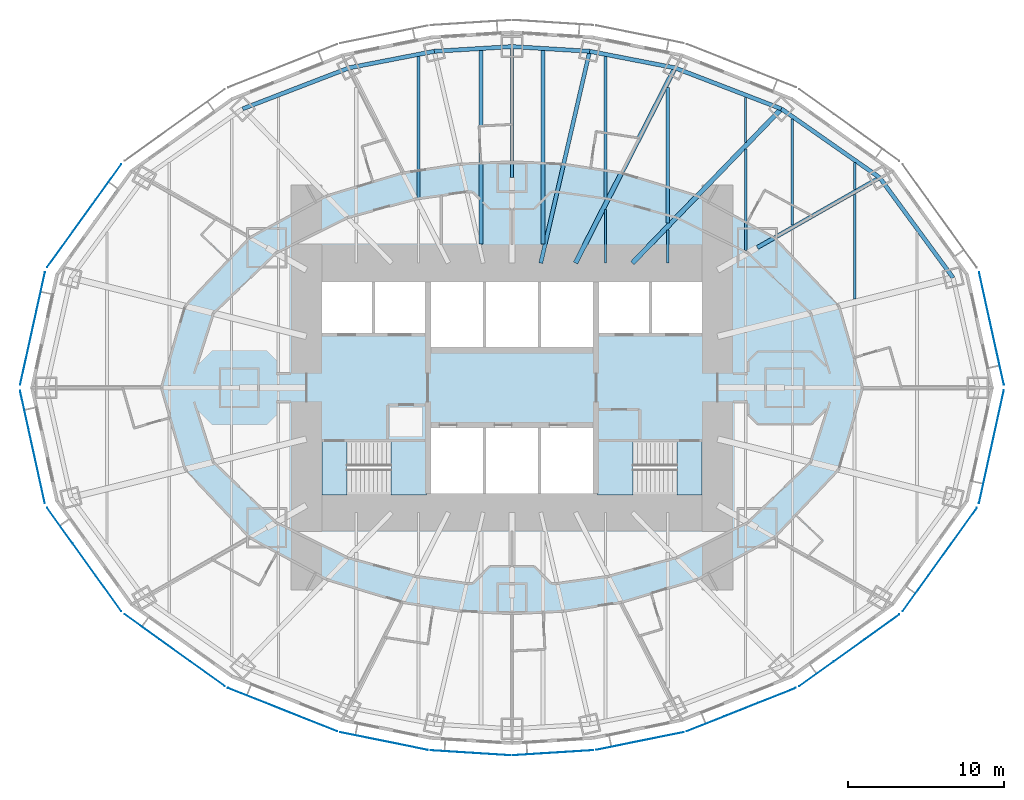
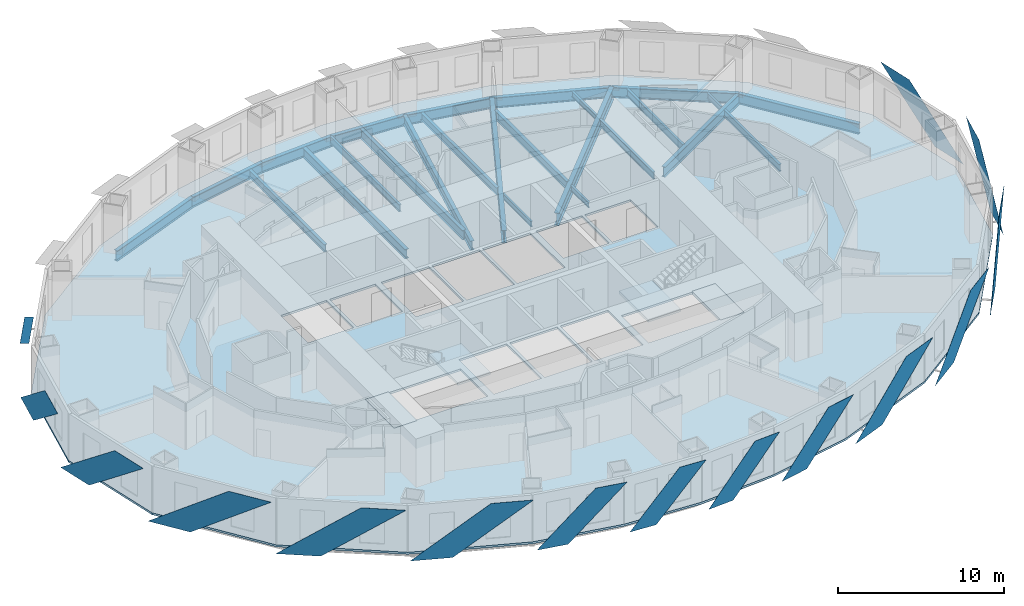
# One storey, part 3 of 15: 25 beams, 15 plates, 5 slabs, 2 elements without a shape of their own.
"""IFC4 building model written with IfcOpenShell, lengths in metres."""

from ifc_helpers import new_model, si_unit, direction, frame, origin, origin_2d, place, context, subcontext, project, spatial, polyline, i_section, outline, extrude, material, layer, layer_set, material_profile, profile_set, type_object, element, aggregate, save


model = new_model("IFC4")

# Units and contexts
model_context = context("Model", 3, precision=1e-05, world=origin(), true_north=direction((0.0, 1.0)))
body_context = subcontext(model_context, "Body", "Model", "MODEL_VIEW")
ifc_project = project(units=[si_unit("LENGTHUNIT", "METRE"), si_unit("AREAUNIT", "SQUARE_METRE"), si_unit("VOLUMEUNIT", "CUBIC_METRE"), si_unit("PLANEANGLEUNIT", "RADIAN"), si_unit("MASSUNIT", "GRAM", prefix="KILO")], contexts=[model_context])

# Site, building, storey
site_placement = place(None, origin())
site = spatial("IfcSite", under=ifc_project, at=site_placement, CompositionType="ELEMENT")
building_placement = place(site_placement, origin())
building = spatial("IfcBuilding", under=site, at=building_placement, Name="Lantaw Convention Tower", CompositionType="ELEMENT")
storey_placement = place(building_placement, frame((0.0, 0.0, 83.800048828125)))
storey = spatial("IfcBuildingStorey", under=building, at=storey_placement, Name="L19", CompositionType="ELEMENT", Elevation=83.800048828125)

# Beams
ifc_material_1 = material(Name="Steel ASTM A992", Category="steel")
ifc_material_profile_1 = material_profile(ifc_material_1, i_section(OverallWidth=0.2666015625, OverallDepth=0.76953125, WebThickness=0.015625, FlangeThickness=0.025390625, FilletRadius=0.0126953125, at=origin_2d()), Name="W30X132")
ifc_profile_set_1 = profile_set([ifc_material_profile_1], Name="Steel ASTM A992")
beam_type_1 = type_object("IfcBeamType", Name="Beam E W30X132", PredefinedType="SPANDREL", material=ifc_profile_set_1)
beam_1_placement = place(storey_placement, frame((28.31787109375, 7.060302734375, -0.534912109375), z_axis=(-0.591270709086, 0.806473154281, 0.0), x_axis=(-0.806473154281, -0.591270709086, 0.0)))
element("IfcBeam", 1, at=beam_1_placement, inside=storey, type_object=beam_type_1, Name="Edge beam 2", PredefinedType="SPANDREL", context=body_context, shape_type="SweptSolid", body=[
    extrude(i_section(OverallWidth=0.2666015625, OverallDepth=0.76953125, WebThickness=0.015625, FlangeThickness=0.025390625, FilletRadius=0.0126953125, at=origin_2d()), origin(), (0.0, 0.0, 1.0), 7.970703125),
])
beam_2_placement = place(storey_placement, frame((23.60498046875, 13.488525390625, -0.534912109375), z_axis=(-0.81942686407, 0.57318375277, 0.0), x_axis=(-0.57318375277, -0.81942686407, 0.0)))
element("IfcBeam", 2, at=beam_2_placement, inside=storey, type_object=beam_type_1, Name="Edge beam 3", PredefinedType="SPANDREL", context=body_context, shape_type="SweptSolid", body=[
    extrude(i_section(OverallWidth=0.2666015625, OverallDepth=0.76953125, WebThickness=0.015625, FlangeThickness=0.025390625, FilletRadius=0.0126953125, at=origin_2d()), origin(), (0.0, 0.0, 1.0), 7.70556640625),
])
beam_3_placement = place(storey_placement, frame((17.290771484375, 17.9052734375, -0.534912109375), z_axis=(-0.933232900641, 0.359271976588, 0.0), x_axis=(-0.359271976588, -0.933232900641, 0.0)))
element("IfcBeam", 3, at=beam_3_placement, inside=storey, type_object=beam_type_1, Name="Edge beam 4", PredefinedType="SPANDREL", context=body_context, shape_type="SweptSolid", body=[
    extrude(i_section(OverallWidth=0.2666015625, OverallDepth=0.76953125, WebThickness=0.015625, FlangeThickness=0.025390625, FilletRadius=0.0126953125, at=origin_2d()), origin(), (0.0, 0.0, 1.0), 7.316650390625),
])
beam_4_placement = place(storey_placement, frame((10.462646484375, 20.533935546875, -0.534912109375), z_axis=(-0.981636565323, 0.190760723474, 0.0), x_axis=(-0.190760723474, -0.981636565323, 0.0)))
element("IfcBeam", 4, at=beam_4_placement, inside=storey, type_object=beam_type_1, Name="Edge beam 5", PredefinedType="SPANDREL", context=body_context, shape_type="SweptSolid", body=[
    extrude(i_section(OverallWidth=0.2666015625, OverallDepth=0.76953125, WebThickness=0.015625, FlangeThickness=0.025390625, FilletRadius=0.0126953125, at=origin_2d()), origin(), (0.0, 0.0, 1.0), 5.578857421875),
])
for number, where, z_axis, x_axis, name in (
    (5, (4.986328125, 21.59814453125, -0.534912109375), (-0.998173858406, 0.060406526096, 0.0), (-0.060406526096, -0.998173858406, 0.0), "Edge beam 6"),
    (6, (0.0, 21.89990234375, -0.534912109375), (-0.998173858406, -0.060406526096, 0.0), (0.060406526096, -0.998173858406, 0.0), "Edge beam 7"),
):
    element("IfcBeam", number, at=place(storey_placement, frame(where, z_axis=z_axis, x_axis=x_axis)), inside=storey, type_object=beam_type_1, Name=name, PredefinedType="SPANDREL", context=body_context, shape_type="SweptSolid", body=[
        extrude(i_section(OverallWidth=0.2666015625, OverallDepth=0.76953125, WebThickness=0.015625, FlangeThickness=0.025390625, FilletRadius=0.0126953125, at=origin_2d()), origin(), (0.0, 0.0, 1.0), 4.995361328125),
    ])
beam_5_placement = place(storey_placement, frame((-4.986328125, 21.59814453125, -0.534912109375), z_axis=(-0.981636565323, -0.190760723474, 0.0), x_axis=(0.190760723474, -0.981636565323, 0.0)))
element("IfcBeam", 7, at=beam_5_placement, inside=storey, type_object=beam_type_1, Name="Edge beam 8", PredefinedType="SPANDREL", context=body_context, shape_type="SweptSolid", body=[
    extrude(i_section(OverallWidth=0.2666015625, OverallDepth=0.76953125, WebThickness=0.015625, FlangeThickness=0.025390625, FilletRadius=0.0126953125, at=origin_2d()), origin(), (0.0, 0.0, 1.0), 5.578857421875),
])
beam_6_placement = place(storey_placement, frame((-10.462646484375, 20.533935546875, -0.534912109375), z_axis=(-0.933232900641, -0.359271976588, 0.0), x_axis=(0.359271976588, -0.933232900641, 0.0)))
element("IfcBeam", 8, at=beam_6_placement, inside=storey, type_object=beam_type_1, Name="Edge beam 9", PredefinedType="SPANDREL", context=body_context, shape_type="SweptSolid", body=[
    extrude(i_section(OverallWidth=0.2666015625, OverallDepth=0.76953125, WebThickness=0.015625, FlangeThickness=0.025390625, FilletRadius=0.0126953125, at=origin_2d()), origin(), (0.0, 0.0, 1.0), 7.316650390625),
])
ifc_material_profile_2 = material_profile(ifc_material_1, i_section(OverallWidth=0.1650390625, OverallDepth=0.52587890625, WebThickness=0.0087890625, FlangeThickness=0.011474609375, FilletRadius=0.0126953125, at=origin_2d()), Name="W21X44")
ifc_profile_set_2 = profile_set([ifc_material_profile_2], Name="Steel ASTM A992")
beam_type_2 = type_object("IfcBeamType", Name="Beam G W21X44", PredefinedType="BEAM", material=ifc_profile_set_2)
beam_7_placement = place(storey_placement, frame((0.0, 13.5, -0.412841796875), z_axis=(0.0, 1.0, 0.0), x_axis=(-1.0, 0.0, 0.0)))
element("IfcBeam", 9, at=beam_7_placement, inside=storey, type_object=beam_type_2, Name="Floor girder on ray 7", PredefinedType="BEAM", context=body_context, shape_type="SweptSolid", body=[
    extrude(i_section(OverallWidth=0.1650390625, OverallDepth=0.52587890625, WebThickness=0.0087890625, FlangeThickness=0.011474609375, FilletRadius=0.0126953125, at=origin_2d()), origin(), (0.0, 0.0, 1.0), 8.39990234375),
])
ifc_material_profile_3 = material_profile(ifc_material_1, i_section(OverallWidth=0.25390625, OverallDepth=0.683349609375, WebThickness=0.012451171875, FlangeThickness=0.01904296875, FilletRadius=0.01513671875, at=origin_2d()), Name="W27X94")
ifc_profile_set_3 = profile_set([ifc_material_profile_3], Name="Steel ASTM A992")
beam_type_3 = type_object("IfcBeamType", Name="Beam G W27X94", PredefinedType="BEAM", material=ifc_profile_set_3)
beam_8_placement = place(storey_placement, frame((1.846923828125, 8.0, -0.49169921875), z_axis=(0.224952773175, 0.97436966796, 0.0), x_axis=(-0.97436966796, 0.224952773175, 0.0)))
element("IfcBeam", 10, at=beam_8_placement, inside=storey, type_object=beam_type_3, Name="Floor girder on ray 6", PredefinedType="BEAM", context=body_context, shape_type="SweptSolid", body=[
    extrude(i_section(OverallWidth=0.25390625, OverallDepth=0.683349609375, WebThickness=0.012451171875, FlangeThickness=0.01904296875, FilletRadius=0.01513671875, at=origin_2d()), origin(), (0.0, 0.0, 1.0), 13.955810546875),
])
ifc_material_profile_4 = material_profile(ifc_material_1, i_section(OverallWidth=0.2666015625, OverallDepth=0.7568359375, WebThickness=0.013916015625, FlangeThickness=0.019287109375, FilletRadius=0.0126953125, at=origin_2d()), Name="W30X108")
ifc_profile_set_4 = profile_set([ifc_material_profile_4], Name="Steel ASTM A992")
beam_type_4 = type_object("IfcBeamType", Name="Beam G W30X108", PredefinedType="BEAM", material=ifc_profile_set_4)
beam_9_placement = place(storey_placement, frame((15.75, 9.0, -0.528564453125), z_axis=(0.868244802791, 0.496136032179, 0.0), x_axis=(-0.496136032179, 0.868244802791, 0.0)))
element("IfcBeam", 11, at=beam_9_placement, inside=storey, type_object=beam_type_4, Name="Floor girder on ray 3", PredefinedType="BEAM", context=body_context, shape_type="SweptSolid", body=[
    extrude(i_section(OverallWidth=0.2666015625, OverallDepth=0.7568359375, WebThickness=0.013916015625, FlangeThickness=0.019287109375, FilletRadius=0.0126953125, at=origin_2d()), origin(), (0.0, 0.0, 1.0), 9.046875),
])
ifc_material_profile_5 = material_profile(ifc_material_1, i_section(OverallWidth=0.307373046875, OverallDepth=0.922119140625, WebThickness=0.018310546875, FlangeThickness=0.030029296875, FilletRadius=0.0126953125, at=origin_2d()), Name="W36X182")
ifc_profile_set_5 = profile_set([ifc_material_profile_5], Name="Steel ASTM A992")
beam_type_5 = type_object("IfcBeamType", Name="Beam G W36X182", PredefinedType="BEAM", material=ifc_profile_set_5)
beam_10_placement = place(storey_placement, frame((7.7255859375, 8.0, -0.611083984375), z_axis=(0.694649884291, 0.719347995239, 0.0), x_axis=(-0.719347995239, 0.694649884291, 0.0)))
element("IfcBeam", 12, at=beam_10_placement, inside=storey, type_object=beam_type_5, Name="Floor girder on ray 4", PredefinedType="BEAM", context=body_context, shape_type="SweptSolid", body=[
    extrude(i_section(OverallWidth=0.307373046875, OverallDepth=0.922119140625, WebThickness=0.018310546875, FlangeThickness=0.030029296875, FilletRadius=0.0126953125, at=origin_2d()), origin(), (0.0, 0.0, 1.0), 13.769775390625),
])
beam_11_placement = place(storey_placement, frame((4.076171875, 8.0, -0.611083984375), z_axis=(0.453997016122, 0.891003203896, 0.0), x_axis=(-0.891003203896, 0.453997016122, 0.0)))
element("IfcBeam", 13, at=beam_11_placement, inside=storey, type_object=beam_type_5, Name="Floor girder on ray 5", PredefinedType="BEAM", context=body_context, shape_type="SweptSolid", body=[
    extrude(i_section(OverallWidth=0.307373046875, OverallDepth=0.922119140625, WebThickness=0.018310546875, FlangeThickness=0.030029296875, FilletRadius=0.0126953125, at=origin_2d()), origin(), (0.0, 0.0, 1.0), 14.067138671875),
])
ifc_material_profile_6 = material_profile(ifc_material_1, i_section(OverallWidth=0.140380859375, OverallDepth=0.40380859375, WebThickness=0.007080078125, FlangeThickness=0.01123046875, FilletRadius=0.01025390625, at=origin_2d()), Name="W16X31")
ifc_profile_set_6 = profile_set([ifc_material_profile_6], Name="Steel ASTM A992")
beam_type_6 = type_object("IfcBeamType", Name="Beam J W16X31", PredefinedType="JOIST", material=ifc_profile_set_6)
beam_12_placement = place(storey_placement, frame((6.0, 8.0, -0.35205078125), z_axis=(0.0, 1.0, 0.0), x_axis=(-1.0, 0.0, 0.0)))
element("IfcBeam", 14, at=beam_12_placement, inside=storey, type_object=beam_type_6, Name="Floor joist", PredefinedType="JOIST", context=body_context, shape_type="SweptSolid", body=[
    extrude(i_section(OverallWidth=0.140380859375, OverallDepth=0.40380859375, WebThickness=0.007080078125, FlangeThickness=0.01123046875, FilletRadius=0.01025390625, at=origin_2d()), origin(), (0.0, 0.0, 1.0), 3.437255859375),
])
beam_13_placement = place(storey_placement, frame((10.0, 8.0, -0.35205078125), z_axis=(0.0, 1.0, 0.0), x_axis=(-1.0, 0.0, 0.0)))
element("IfcBeam", 15, at=beam_13_placement, inside=storey, type_object=beam_type_6, Name="Floor joist", PredefinedType="JOIST", context=body_context, shape_type="SweptSolid", body=[
    extrude(i_section(OverallWidth=0.140380859375, OverallDepth=0.40380859375, WebThickness=0.007080078125, FlangeThickness=0.01123046875, FilletRadius=0.01025390625, at=origin_2d()), origin(), (0.0, 0.0, 1.0), 2.134033203125),
])
beam_14_placement = place(storey_placement, frame((15.0, 15.754150390625, -0.35205078125), z_axis=(0.0, 1.0, 0.0), x_axis=(-1.0, 0.0, 0.0)))
element("IfcBeam", 16, at=beam_14_placement, inside=storey, type_object=beam_type_6, Name="Floor joist", PredefinedType="JOIST", context=body_context, shape_type="SweptSolid", body=[
    extrude(i_section(OverallWidth=0.140380859375, OverallDepth=0.40380859375, WebThickness=0.007080078125, FlangeThickness=0.01123046875, FilletRadius=0.01025390625, at=origin_2d()), origin(), (0.0, 0.0, 1.0), 2.89013671875),
])
beam_15_placement = place(storey_placement, frame((22.0, 12.72509765625, -0.35205078125), z_axis=(0.0, 1.0, 0.0), x_axis=(-1.0, 0.0, 0.0)))
element("IfcBeam", 17, at=beam_15_placement, inside=storey, type_object=beam_type_6, Name="Floor joist", PredefinedType="JOIST", context=body_context, shape_type="SweptSolid", body=[
    extrude(i_section(OverallWidth=0.140380859375, OverallDepth=0.40380859375, WebThickness=0.007080078125, FlangeThickness=0.01123046875, FilletRadius=0.01025390625, at=origin_2d()), origin(), (0.0, 0.0, 1.0), 1.723388671875),
])
ifc_material_profile_7 = material_profile(ifc_material_1, i_section(OverallWidth=0.1650390625, OverallDepth=0.52587890625, WebThickness=0.0087890625, FlangeThickness=0.011474609375, FilletRadius=0.0126953125, at=origin_2d()), Name="W21X44")
ifc_profile_set_7 = profile_set([ifc_material_profile_7], Name="Steel ASTM A992")
beam_type_7 = type_object("IfcBeamType", Name="Beam J W21X44", PredefinedType="JOIST", material=ifc_profile_set_7)
beam_16_placement = place(storey_placement, frame((15.0, 8.803955078125, -0.412841796875), z_axis=(0.0, 1.0, 0.0), x_axis=(-1.0, 0.0, 0.0)))
element("IfcBeam", 18, at=beam_16_placement, inside=storey, type_object=beam_type_7, Name="Floor joist", PredefinedType="JOIST", context=body_context, shape_type="SweptSolid", body=[
    extrude(i_section(OverallWidth=0.1650390625, OverallDepth=0.52587890625, WebThickness=0.0087890625, FlangeThickness=0.011474609375, FilletRadius=0.0126953125, at=origin_2d()), origin(), (0.0, 0.0, 1.0), 6.5078125),
])
beam_17_placement = place(storey_placement, frame((18.0, 10.439208984375, -0.412841796875), z_axis=(0.0, 1.0, 0.0), x_axis=(-1.0, 0.0, 0.0)))
element("IfcBeam", 19, at=beam_17_placement, inside=storey, type_object=beam_type_7, Name="Floor joist", PredefinedType="JOIST", context=body_context, shape_type="SweptSolid", body=[
    extrude(i_section(OverallWidth=0.1650390625, OverallDepth=0.52587890625, WebThickness=0.0087890625, FlangeThickness=0.011474609375, FilletRadius=0.0126953125, at=origin_2d()), origin(), (0.0, 0.0, 1.0), 6.80712890625),
])
beam_18_placement = place(storey_placement, frame((22.0, 5.693359375, -0.412841796875), z_axis=(0.0, 1.0, 0.0), x_axis=(-1.0, 0.0, 0.0)))
element("IfcBeam", 20, at=beam_18_placement, inside=storey, type_object=beam_type_7, Name="Floor joist", PredefinedType="JOIST", context=body_context, shape_type="SweptSolid", body=[
    extrude(i_section(OverallWidth=0.1650390625, OverallDepth=0.52587890625, WebThickness=0.0087890625, FlangeThickness=0.011474609375, FilletRadius=0.0126953125, at=origin_2d()), origin(), (0.0, 0.0, 1.0), 6.724609375),
])
ifc_material_profile_8 = material_profile(ifc_material_1, i_section(OverallWidth=0.2099609375, OverallDepth=0.535888671875, WebThickness=0.010986328125, FlangeThickness=0.017333984375, FilletRadius=0.012939453125, at=origin_2d()), Name="W21X68")
ifc_profile_set_8 = profile_set([ifc_material_profile_8], Name="Steel ASTM A992")
beam_type_8 = type_object("IfcBeamType", Name="Beam J W21X68", PredefinedType="JOIST", material=ifc_profile_set_8)
for number, where, z_axis, x_axis, name in (
    (21, (-6.0, 12.1142578125, -0.41796875), (0.0, 1.0, 0.0), (-1.0, 0.0, 0.0), "Floor joist"),
    (22, (6.0, 12.1142578125, -0.41796875), (0.0, 1.0, 0.0), (-1.0, 0.0, 0.0), "Floor joist"),
):
    element("IfcBeam", number, at=place(storey_placement, frame(where, z_axis=z_axis, x_axis=x_axis)), inside=storey, type_object=beam_type_8, Name=name, PredefinedType="JOIST", context=body_context, shape_type="SweptSolid", body=[
        extrude(i_section(OverallWidth=0.2099609375, OverallDepth=0.535888671875, WebThickness=0.010986328125, FlangeThickness=0.017333984375, FilletRadius=0.012939453125, at=origin_2d()), origin(), (0.0, 0.0, 1.0), 9.15087890625),
    ])
ifc_material_profile_9 = material_profile(ifc_material_1, i_section(OverallWidth=0.227783203125, OverallDepth=0.60205078125, WebThickness=0.010498046875, FlangeThickness=0.014892578125, FilletRadius=0.012939453125, at=origin_2d()), Name="W24X68")
ifc_profile_set_9 = profile_set([ifc_material_profile_9], Name="Steel ASTM A992")
beam_type_9 = type_object("IfcBeamType", Name="Beam J W24X68", PredefinedType="JOIST", material=ifc_profile_set_9)
beam_19_placement = place(storey_placement, frame((10.0, 10.576416015625, -0.450927734375), z_axis=(0.0, 1.0, 0.0), x_axis=(-1.0, 0.0, 0.0)))
element("IfcBeam", 23, at=beam_19_placement, inside=storey, type_object=beam_type_9, Name="Floor joist", PredefinedType="JOIST", context=body_context, shape_type="SweptSolid", body=[
    extrude(i_section(OverallWidth=0.227783203125, OverallDepth=0.60205078125, WebThickness=0.010498046875, FlangeThickness=0.014892578125, FilletRadius=0.012939453125, at=origin_2d()), origin(), (0.0, 0.0, 1.0), 8.711181640625),
])
ifc_material_profile_10 = material_profile(ifc_material_1, i_section(OverallWidth=0.25390625, OverallDepth=0.700927734375, WebThickness=0.015380859375, FlangeThickness=0.02783203125, FilletRadius=0.01513671875, at=origin_2d()), Name="W27X129")
ifc_profile_set_10 = profile_set([ifc_material_profile_10], Name="Steel ASTM A992")
beam_type_10 = type_object("IfcBeamType", Name="Beam J W27X129", PredefinedType="JOIST", material=ifc_profile_set_10)
for number, where, z_axis, x_axis, name in (
    (24, (-2.0, 9.2275390625, -0.50048828125), (0.0, 1.0, 0.0), (-1.0, 0.0, 0.0), "Floor joist"),
    (25, (2.0, 9.2275390625, -0.50048828125), (0.0, 1.0, 0.0), (-1.0, 0.0, 0.0), "Floor joist"),
):
    element("IfcBeam", number, at=place(storey_placement, frame(where, z_axis=z_axis, x_axis=x_axis)), inside=storey, type_object=beam_type_10, Name=name, PredefinedType="JOIST", context=body_context, shape_type="SweptSolid", body=[
        extrude(i_section(OverallWidth=0.25390625, OverallDepth=0.700927734375, WebThickness=0.015380859375, FlangeThickness=0.02783203125, FilletRadius=0.01513671875, at=origin_2d()), origin(), (0.0, 0.0, 1.0), 12.417724609375),
    ])

# Slab
ifc_material_2 = material(Name="Concrete C35/45", Category="concrete")
ifc_layer_1 = layer(ifc_material_2, 0.14990234375)
ifc_layer_set_1 = layer_set([ifc_layer_1], Name="Floor slab 150")
slab_type_1 = type_object("IfcSlabType", Name="Floor slab 150", PredefinedType="FLOOR", material=ifc_layer_set_1)
slab_1_placement = place(storey_placement, frame((0.0, 0.0, -0.150146484375)))
element("IfcSlab", 26, at=slab_1_placement, inside=storey, type_object=slab_type_1, Name="L19 floor slab", PredefinedType="FLOOR", context=body_context, shape_type="SweptSolid", body=[
    extrude(outline(polyline([(29.315185546875, -7.29541015625), (30.923095703125, 0.0), (29.315185546875, 7.29541015625), (24.50634765625, 13.98046875), (18.018798828125, 18.630126953125), (10.9404296875, 21.44189453125), (5.223876953125, 22.59521484375), (0.0, 22.9248046875), (-5.223876953125, 22.59521484375), (-10.9404296875, 21.44189453125), (-18.018798828125, 18.630126953125), (-24.50634765625, 13.98046875), (-29.315185546875, 7.29541015625), (-30.923095703125, 0.0), (-29.315185546875, -7.29541015625), (-24.50634765625, -13.98046875), (-18.018798828125, -18.630126953125), (-10.9404296875, -21.44189453125), (-5.223876953125, -22.59521484375), (0.0, -22.9248046875), (5.223876953125, -22.59521484375), (10.9404296875, -21.44189453125), (18.018798828125, -18.630126953125), (24.50634765625, -13.98046875), (29.315185546875, -7.29541015625)]), holes=[polyline([(-5.60009765625, -3.5), (-12.199951171875, -3.5), (-12.199951171875, -6.800048828125), (-5.60009765625, -6.800048828125), (-5.60009765625, -3.5)]), polyline([(-1.86669921875, -6.800048828125), (-1.86669921875, -2.60009765625), (-5.199951171875, -2.60009765625), (-5.199951171875, -6.800048828125), (-1.86669921875, -6.800048828125)]), polyline([(-1.86669921875, 2.60009765625), (-1.86669921875, 6.800048828125), (-5.199951171875, 6.800048828125), (-5.199951171875, 2.60009765625), (-1.86669921875, 2.60009765625)]), polyline([(1.666748046875, 6.800048828125), (-1.666748046875, 6.800048828125), (-1.666748046875, 2.60009765625), (1.666748046875, 2.60009765625), (1.666748046875, 6.800048828125)]), polyline([(-9.0, 3.5), (-9.0, 6.800048828125), (-12.199951171875, 6.800048828125), (-12.199951171875, 3.5), (-9.0, 3.5)]), polyline([(-5.60009765625, 3.5), (-5.60009765625, 6.800048828125), (-8.800048828125, 6.800048828125), (-8.800048828125, 3.5), (-5.60009765625, 3.5)]), polyline([(12.199951171875, -3.5), (5.60009765625, -3.5), (5.60009765625, -6.800048828125), (12.199951171875, -6.800048828125), (12.199951171875, -3.5)]), polyline([(1.666748046875, -6.800048828125), (1.666748046875, -2.60009765625), (-1.666748046875, -2.60009765625), (-1.666748046875, -6.800048828125), (1.666748046875, -6.800048828125)]), polyline([(5.199951171875, -6.800048828125), (5.199951171875, -2.60009765625), (1.86669921875, -2.60009765625), (1.86669921875, -6.800048828125), (5.199951171875, -6.800048828125)]), polyline([(5.199951171875, 6.800048828125), (1.86669921875, 6.800048828125), (1.86669921875, 2.60009765625), (5.199951171875, 2.60009765625), (5.199951171875, 6.800048828125)]), polyline([(8.800048828125, 3.5), (8.800048828125, 6.800048828125), (5.60009765625, 6.800048828125), (5.60009765625, 3.5), (8.800048828125, 3.5)]), polyline([(12.199951171875, 3.5), (12.199951171875, 6.800048828125), (9.0, 6.800048828125), (9.0, 3.5), (12.199951171875, 3.5)])]), origin(), (0.0, 0.0, 1.0), 0.150146484375),
])

# Plates
ifc_material_3 = material(Name="Perforated aluminium sheet, pale silver finish", Category="aluminium")
ifc_layer_2 = layer(ifc_material_3, 0.006103515625)
ifc_layer_set_2 = layer_set([ifc_layer_2], Name="Perforated aluminium solar SCREEN panel")
plate_type = type_object("IfcPlateType", Name="Perforated aluminium solar SCREEN panel", PredefinedType="SHEET", material=ifc_layer_set_2)
plate_1_placement = place(storey_placement, frame((31.5810546875, 0.17919921875, -0.175048828125), z_axis=(-0.97655943558, -0.215247921852, 3.0295023e-05), x_axis=(-0.215247921951, 0.976559436028, 3.12e-10)))
element("IfcPlate", 27, at=plate_1_placement, inside=storey, type_object=plate_type, Name="Solar SCREEN panel", PredefinedType="SHEET", context=body_context, shape_type="SweptSolid", body=[
    extrude(outline(polyline([(0.0, 0.0), (2.551002212329069, 3.3881317890172014e-21), (7.402498252985418, -3.739990233781388), (4.851734458487411, -3.7399902353733405), (0.0, 0.0)])), origin(), (0.0, 0.0, -1.0), 0.006103515625),
])
plate_2_placement = place(storey_placement, frame((-25.0810546875, 14.34765625, -0.175048828125), z_axis=(0.811791382613, -0.583947558463, 9.019268e-06), x_axis=(-0.583947558486, -0.811791382646, 0.0)))
element("IfcPlate", 28, at=plate_2_placement, inside=storey, type_object=plate_type, Name="Solar SCREEN panel", PredefinedType="SHEET", context=body_context, shape_type="SweptSolid", body=[
    extrude(outline(polyline([(0.0, 0.0), (2.809541672291133, 0.0), (8.163093158837512, -3.739990234527119), (5.353551486546379, -3.739990234527119), (0.0, 0.0)])), origin(), (0.0, 0.0, -1.0), 0.006103515625),
])
plate_3_placement = place(storey_placement, frame((-29.98779296875, 7.408203125, -0.175048828125), z_axis=(-0.97655943558, 0.215247921852, 3.0295023e-05), x_axis=(-0.215247921951, -0.976559436028, -3.12e-10)))
element("IfcPlate", 29, at=plate_3_placement, inside=storey, type_object=plate_type, Name="Solar SCREEN panel", PredefinedType="SHEET", context=body_context, shape_type="SweptSolid", body=[
    extrude(outline(polyline([(0.0, 0.0), (2.5507637944980077, 6.776263578034403e-21), (7.402498250651261, 3.7399902384013473), (4.851496038322192, 3.739990236809246), (0.0, 0.0)])), origin(), (0.0, 0.0, -1.0), 0.006103515625),
])
plate_4_placement = place(storey_placement, frame((-31.5810546875, -0.17919921875, -0.175048828125), z_axis=(0.97655943558, 0.215247921852, 3.0295023e-05), x_axis=(0.215247921951, -0.976559436028, 3.12e-10)))
element("IfcPlate", 30, at=plate_4_placement, inside=storey, type_object=plate_type, Name="Solar SCREEN panel", PredefinedType="SHEET", context=body_context, shape_type="SweptSolid", body=[
    extrude(outline(polyline([(0.0, 0.0), (2.551002212329069, 3.3881317890172014e-21), (7.402498252985418, -3.739990233781388), (4.851734458487411, -3.7399902353733405), (0.0, 0.0)])), origin(), (0.0, 0.0, -1.0), 0.006103515625),
])
plate_5_placement = place(storey_placement, frame((-29.847900390625, -7.720947265625, -0.175048828125), z_axis=(-0.811791382613, -0.583947558463, 9.019268e-06), x_axis=(0.583947558486, -0.811791382646, 0.0)))
element("IfcPlate", 31, at=plate_5_placement, inside=storey, type_object=plate_type, Name="Solar SCREEN panel", PredefinedType="SHEET", context=body_context, shape_type="SweptSolid", body=[
    extrude(outline(polyline([(0.0, 0.0), (2.809541672291133, 0.0), (8.163093158837512, 3.739990234527119), (5.353551486546379, 3.739990234527119), (0.0, 0.0)])), origin(), (0.0, 0.0, -1.0), 0.006103515625),
])
plate_6_placement = place(storey_placement, frame((-24.872314453125, -14.555908203125, -0.175048828125), z_axis=(-0.582561421998, -0.812786681331, 1.5819417e-05), x_axis=(0.812786681433, -0.582561422071, 0.0)))
element("IfcPlate", 32, at=plate_6_placement, inside=storey, type_object=plate_type, Name="Solar SCREEN panel", PredefinedType="SHEET", context=body_context, shape_type="SweptSolid", body=[
    extrude(outline(polyline([(0.0, 0.0), (2.721095180812288, 3.3881317890172014e-21), (7.903118572410756, 3.739990234842974), (5.182023391598468, 3.739990234842974), (0.0, 0.0)])), origin(), (0.0, 0.0, -1.0), 0.006103515625),
])
plate_7_placement = place(storey_placement, frame((-18.232177734375, -19.278076171875, -0.175048828125), z_axis=(0.369183532846, 0.929356508016, 9.163296e-06), x_axis=(0.929356508055, -0.369183532862, 0.0)))
element("IfcPlate", 33, at=plate_7_placement, inside=storey, type_object=plate_type, Name="Solar SCREEN panel", PredefinedType="SHEET", context=body_context, shape_type="SweptSolid", body=[
    extrude(outline(polyline([(0.0, 0.0), (2.594936467166582, -1.6940658945086007e-21), (7.5321069917580825, -3.739990234532016), (4.937170524591499, -3.739990234532016), (0.0, 0.0)])), origin(), (0.0, 0.0, -1.0), 0.006103515625),
])
plate_8_placement = place(storey_placement, frame((-11.03271484375, -22.117919921875, -0.175048828125), z_axis=(0.197781876197, 0.980246055561, 2.418535e-06), x_axis=(0.980246055563, -0.197781876198, 1.46e-10)))
element("IfcPlate", 34, at=plate_8_placement, inside=storey, type_object=plate_type, Name="Solar SCREEN panel", PredefinedType="SHEET", context=body_context, shape_type="SweptSolid", body=[
    extrude(outline(polyline([(0.0, 0.0), (1.9867801772236329, -3.1763735522036263e-22), (5.743587245978565, -3.7399902335493134), (3.7568553553458006, -3.739990234128105), (0.0, 0.0)])), origin(), (0.0, 0.0, -1.0), 0.006103515625),
])
plate_9_placement = place(storey_placement, frame((-5.221923828125, -23.27783203125, -0.175048828125), z_axis=(0.062923905251, 0.998018327468, 1.3605496e-05), x_axis=(0.998018327561, -0.062923905257, 9.3e-10)))
element("IfcPlate", 35, at=plate_9_placement, inside=storey, type_object=plate_type, Name="Solar SCREEN panel", PredefinedType="SHEET", context=body_context, shape_type="SweptSolid", body=[
    extrude(outline(polyline([(0.0, 0.0), (1.7828375409377817, -2.117582368135751e-22), (5.143985963027618, -3.739990229938699), (3.3611637843713935, -3.7399902332537565), (0.0, 0.0)])), origin(), (0.0, 0.0, -1.0), 0.006103515625),
])
plate_10_placement = place(storey_placement, frame((0.088134765625, -23.6015625, -0.175048828125), z_axis=(0.062923905251, -0.998018327468, 1.3605496e-05), x_axis=(0.998018327561, 0.062923905257, -9.3e-10)))
element("IfcPlate", 36, at=plate_10_placement, inside=storey, type_object=plate_type, Name="Solar SCREEN panel", PredefinedType="SHEET", context=body_context, shape_type="SweptSolid", body=[
    extrude(outline(polyline([(0.0, 0.0), (1.782822178656225, -2.117582368135751e-22), (5.143985956073316, 3.7399902395036517), (3.3611484151355353, 3.7399902361885653), (0.0, 0.0)])), origin(), (0.0, 0.0, -1.0), 0.006103515625),
])
plate_11_placement = place(storey_placement, frame((5.402587890625, -23.25390625, -0.175048828125), z_axis=(0.197781876197, -0.980246055561, 2.418535e-06), x_axis=(0.980246055563, 0.197781876198, -1.46e-10)))
element("IfcPlate", 37, at=plate_11_placement, inside=storey, type_object=plate_type, Name="Solar SCREEN panel", PredefinedType="SHEET", context=body_context, shape_type="SweptSolid", body=[
    extrude(outline(polyline([(0.0, 0.0), (1.9867318906327642, 1.0587911840678754e-22), (5.743587244888999, 3.7399902352225842), (3.7568070676653664, 3.7399902346437783), (0.0, 0.0)])), origin(), (0.0, 0.0, -1.0), 0.006103515625),
])
plate_12_placement = place(storey_placement, frame((11.232177734375, -22.058837890625, -0.175048828125), z_axis=(0.369183532846, -0.929356508016, 9.163296e-06), x_axis=(0.929356508055, 0.369183532862, 0.0)))
element("IfcPlate", 38, at=plate_12_placement, inside=storey, type_object=plate_type, Name="Solar SCREEN panel", PredefinedType="SHEET", context=body_context, shape_type="SweptSolid", body=[
    extrude(outline(polyline([(0.0, 0.0), (2.594936467166582, 1.6940658945086007e-21), (7.5321069917580825, 3.739990234532016), (4.937170524591499, 3.739990234532016), (0.0, 0.0)])), origin(), (0.0, 0.0, -1.0), 0.006103515625),
])
plate_13_placement = place(storey_placement, frame((18.44873046875, -19.159912109375, -0.175048828125), z_axis=(-0.582561421998, 0.812786681331, 1.5819417e-05), x_axis=(0.812786681433, 0.582561422071, 0.0)))
element("IfcPlate", 39, at=plate_13_placement, inside=storey, type_object=plate_type, Name="Solar SCREEN panel", PredefinedType="SHEET", context=body_context, shape_type="SweptSolid", body=[
    extrude(outline(polyline([(0.0, 0.0), (2.721095180812288, -3.3881317890172014e-21), (7.903118572410756, -3.739990234842974), (5.182023391598468, -3.739990234842974), (0.0, 0.0)])), origin(), (0.0, 0.0, -1.0), 0.006103515625),
])
plate_14_placement = place(storey_placement, frame((25.0810546875, -14.34765625, -0.175048828125), z_axis=(-0.811791382613, 0.583947558463, 9.019268e-06), x_axis=(0.583947558486, 0.811791382646, 0.0)))
element("IfcPlate", 40, at=plate_14_placement, inside=storey, type_object=plate_type, Name="Solar SCREEN panel", PredefinedType="SHEET", context=body_context, shape_type="SweptSolid", body=[
    extrude(outline(polyline([(0.0, 0.0), (2.809541672291133, 0.0), (8.163093158837512, -3.739990234527119), (5.353551486546379, -3.739990234527119), (0.0, 0.0)])), origin(), (0.0, 0.0, -1.0), 0.006103515625),
])
plate_15_placement = place(storey_placement, frame((29.98779296875, -7.408203125, -0.175048828125), z_axis=(0.97655943558, -0.215247921852, 3.0295023e-05), x_axis=(0.215247921951, 0.976559436028, -3.12e-10)))
element("IfcPlate", 41, at=plate_15_placement, inside=storey, type_object=plate_type, Name="Solar SCREEN panel", PredefinedType="SHEET", context=body_context, shape_type="SweptSolid", body=[
    extrude(outline(polyline([(0.0, 0.0), (2.5507637944980077, 6.776263578034403e-21), (7.402498250651261, 3.7399902384013473), (4.851496038322192, 3.739990236809246), (0.0, 0.0)])), origin(), (0.0, 0.0, -1.0), 0.006103515625),
])

# Stair, slabs
stair_type = type_object("IfcStairType", Name="Exit stair 1500 riser 163.64 in 2 flights", PredefinedType="HALF_TURN_STAIR", material=ifc_material_2)
stair_1_placement = place(storey_placement, origin())
stair_1 = element("IfcStair", 42, at=stair_1_placement, inside=storey, type_object=stair_type, Name="Exit stair S1 L19", PredefinedType="HALF_TURN_STAIR")
ifc_layer_3 = layer(ifc_material_2, 0.199951171875)
ifc_layer_set_3 = layer_set([ifc_layer_3], Name="Stair landing 200")
slab_type_2 = type_object("IfcSlabType", Name="Stair landing 200", PredefinedType="LANDING", material=ifc_layer_set_3)
slab_2_placement = place(storey_placement, frame((0.0, 0.0, -0.199951171875)))
slab_2 = element("IfcSlab", 43, at=slab_2_placement, type_object=slab_type_2, Name="S1 landing 1", PredefinedType="LANDING", context=body_context, shape_type="SweptSolid", body=[
    extrude(outline(polyline([(-12.199951171875, -6.89990234375), (-10.580078125, -6.89990234375), (-10.580078125, -3.39990234375), (-12.199951171875, -3.39990234375), (-12.199951171875, -6.89990234375)])), origin(), (0.0, 0.0, 1.0), 0.199951171875),
])
slab_3_placement = place(storey_placement, frame((0.0, 0.0, 1.599853515625)))
slab_3 = element("IfcSlab", 44, at=slab_3_placement, type_object=slab_type_2, Name="S1 landing 2", PredefinedType="LANDING", context=body_context, shape_type="SweptSolid", body=[
    extrude(outline(polyline([(-7.780029296875, -6.89990234375), (-5.5, -6.89990234375), (-5.5, -3.39990234375), (-7.780029296875, -3.39990234375), (-7.780029296875, -6.89990234375)])), origin(), (0.0, 0.0, 1.0), 0.2001953125),
])
aggregate(stair_1, [slab_2, slab_3])

stair_2_placement = place(storey_placement, origin())
stair_2 = element("IfcStair", 45, at=stair_2_placement, inside=storey, type_object=stair_type, Name="Exit stair S2 L19", PredefinedType="HALF_TURN_STAIR")
slab_4_placement = place(storey_placement, frame((0.0, 0.0, -0.199951171875)))
slab_4 = element("IfcSlab", 46, at=slab_4_placement, type_object=slab_type_2, Name="S2 landing 1", PredefinedType="LANDING", context=body_context, shape_type="SweptSolid", body=[
    extrude(outline(polyline([(10.580078125, -6.89990234375), (12.199951171875, -6.89990234375), (12.199951171875, -3.39990234375), (10.580078125, -3.39990234375), (10.580078125, -6.89990234375)])), origin(), (0.0, 0.0, 1.0), 0.199951171875),
])
slab_5_placement = place(storey_placement, frame((0.0, 0.0, 1.599853515625)))
slab_5 = element("IfcSlab", 47, at=slab_5_placement, type_object=slab_type_2, Name="S2 landing 2", PredefinedType="LANDING", context=body_context, shape_type="SweptSolid", body=[
    extrude(outline(polyline([(5.5, -6.89990234375), (7.780029296875, -6.89990234375), (7.780029296875, -3.39990234375), (5.5, -3.39990234375), (5.5, -6.89990234375)])), origin(), (0.0, 0.0, 1.0), 0.2001953125),
])
aggregate(stair_2, [slab_4, slab_5])

save(model, "model.ifc")
